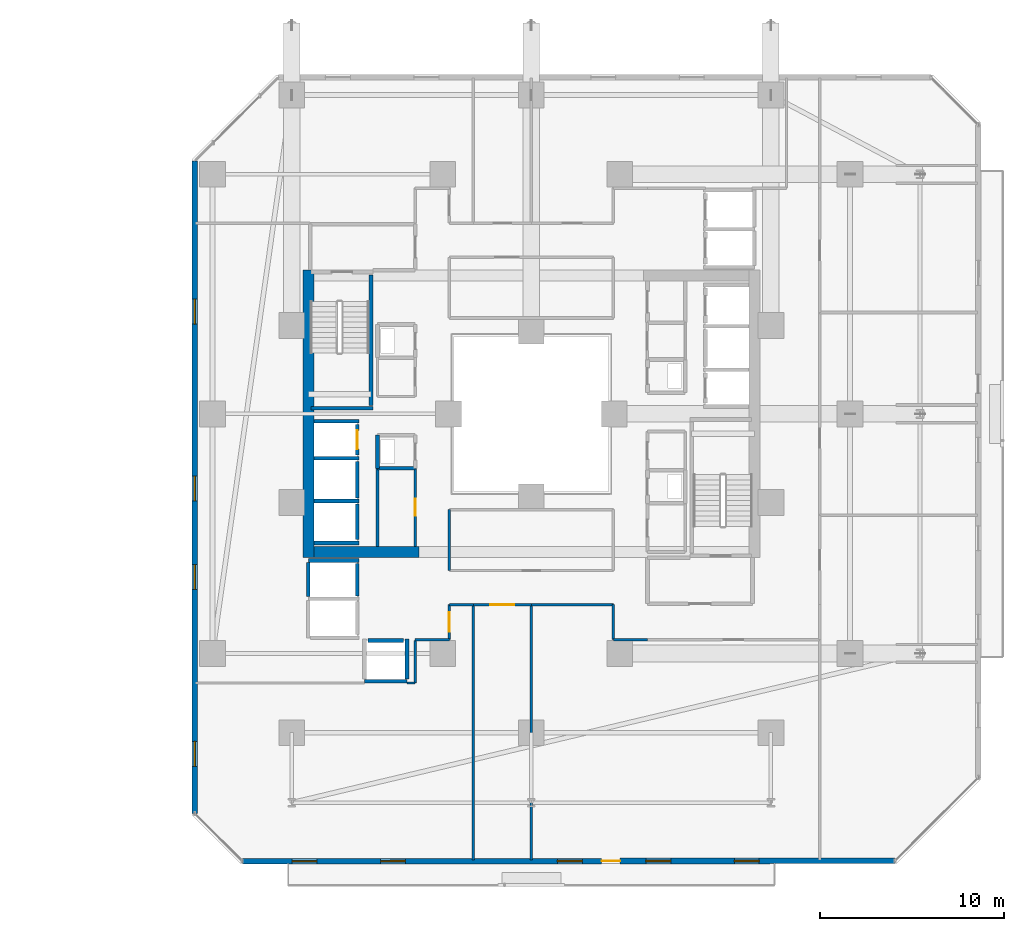
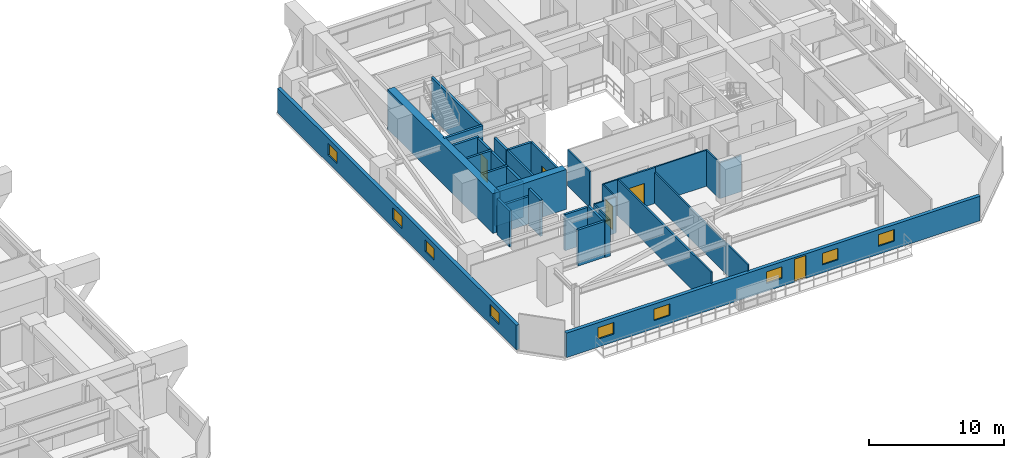
# One storey, part 25 of 36: 35 walls, 9 windows, 5 doors, 14 openings.
"""IFC4 building model written with IfcOpenShell, lengths in metres."""

from ifc_helpers import new_model, si_unit, direction, frame, frame_2d, origin, place, context, subcontext, project, spatial, rectangle, extrude, material, layer, layer_set, type_object, element, fill, save


model = new_model("IFC4")

# Units and contexts
model_context = context("Model", 3, precision=1e-05, world=origin(), true_north=direction((0.0, 1.0)))
body_context = subcontext(model_context, "Body", "Model", "MODEL_VIEW")
ifc_project = project(units=[si_unit("LENGTHUNIT", "METRE"), si_unit("AREAUNIT", "SQUARE_METRE"), si_unit("VOLUMEUNIT", "CUBIC_METRE"), si_unit("PLANEANGLEUNIT", "RADIAN"), si_unit("MASSUNIT", "GRAM", prefix="KILO")], contexts=[model_context])

# Site, building, storey
site_placement = place(None, origin())
site = spatial("IfcSite", under=ifc_project, at=site_placement, CompositionType="ELEMENT")
building_placement = place(site_placement, origin())
building = spatial("IfcBuilding", under=site, at=building_placement, Name="Thornwick Lancets Civic Towers", CompositionType="ELEMENT")
storey_placement = place(building_placement, frame((0.0, 0.0, 45.89990234375)))
storey = spatial("IfcBuildingStorey", under=building, at=storey_placement, Name="L11", CompositionType="ELEMENT", Elevation=45.89990234375)

# Wall, opening, door
ifc_material_1 = material(Name="Concrete blockwork C40/50", Category="masonry")
ifc_layer_1 = layer(ifc_material_1, 0.199951171875, Name="Concrete blockwork C40/50")
ifc_layer_set_1 = layer_set([ifc_layer_1], Name="Concrete blockwork C40/50")
wall_type_1 = type_object("IfcWallType", Name="WALL_COMP_200", PredefinedType="STANDARD", material=ifc_layer_set_1)
wall_1_placement = place(storey_placement, frame((79.050048828125, 24.780029296875, 0.0), z_axis=(0.0, 0.0, 1.0), x_axis=(0.0, 1.0, 0.0)))
wall_1 = element("IfcWall", 1, at=wall_1_placement, inside=storey, type_object=wall_type_1, Name="L11 Hoistway Front Wall FL-B2", PredefinedType="STANDARD", context=body_context, shape_type="SweptSolid", body=[
    extrude(rectangle(XDim=1.639892578125, YDim=0.199951171875, at=frame_2d((0.81982421875, 0.0))), origin(), (0.0, 0.0, 1.0), 3.260009765625),
])
opening_1_placement = place(wall_1_placement, frame((0.31005859375, 0.0, 0.0)))
opening_1 = element("IfcOpeningElement", 2, at=opening_1_placement, cuts=wall_1, Name="Opening LD-FL-B2", PredefinedType="OPENING", context=body_context, shape_type="SweptSolid", body=[
    extrude(rectangle(XDim=1.02001953125, YDim=2.06005859375, at=frame_2d((0.510009765625, 1.030029296875))), frame((0.0, 0.10986328125, 0.0), z_axis=(0.0, -1.0, 0.0), x_axis=(1.0, 0.0, 0.0)), (0.0, 0.0, 1.0), 0.219970703125),
])
ifc_material_2 = material(Name="Brushed bronze stainless steel", Category="steel")
door_type_1 = type_object("IfcDoorType", Name="DOOR_LIFT_SLIDE", OperationType="SLIDING_TO_LEFT", PredefinedType="DOOR", material=ifc_material_2)
door_1_placement = place(opening_1_placement, origin())
door_1 = element("IfcDoor", 3, at=door_1_placement, inside=storey, type_object=door_type_1, Name="L11 Sliding Lift Landing Door LD-FL-B2", OperationType="SLIDING_TO_LEFT", OverallHeight=2.06005859375, OverallWidth=1.02001953125, PredefinedType="DOOR", context=body_context, shape_type="SweptSolid", body=[
    extrude(rectangle(XDim=1.02001953125, YDim=2.06005859375, at=frame_2d((0.510009765625, 1.030029296875))), frame((0.0, 0.02490234375, 0.0), z_axis=(0.0, -1.0, 0.0), x_axis=(1.0, 0.0, 0.0)), (0.0, 0.0, 1.0), 0.050048828125),
])
fill(opening_1, door_1)

# Walls
wall_2_placement = place(storey_placement, frame((79.050048828125, 22.429931640625, 0.0), z_axis=(0.0, 0.0, 1.0), x_axis=(0.0, 1.0, 0.0)))
element("IfcWall", 4, at=wall_2_placement, inside=storey, type_object=wall_type_1, Name="L11 Hoistway Front Wall PL-BH2", PredefinedType="STANDARD", context=body_context, shape_type="SweptSolid", body=[
    extrude(rectangle(XDim=1.989990234375, YDim=0.199951171875, at=frame_2d((0.9951171875, 0.0))), origin(), (0.0, 0.0, 1.0), 3.260009765625),
])
wall_3_placement = place(storey_placement, frame((79.050048828125, 20.179931640625, 0.0), z_axis=(0.0, 0.0, 1.0), x_axis=(0.0, 1.0, 0.0)))
element("IfcWall", 5, at=wall_3_placement, inside=storey, type_object=wall_type_1, Name="L11 Hoistway Front Wall PL-BH3", PredefinedType="STANDARD", context=body_context, shape_type="SweptSolid", body=[
    extrude(rectangle(XDim=1.940185546875, YDim=0.199951171875, at=frame_2d((0.97021484375, 0.0))), origin(), (0.0, 0.0, 1.0), 3.260009765625),
])
wall_4_placement = place(storey_placement, frame((79.050048828125, 17.1298828125, 0.0), z_axis=(0.0, 0.0, 1.0), x_axis=(0.0, 1.0, 0.0)))
element("IfcWall", 6, at=wall_4_placement, inside=storey, type_object=wall_type_1, Name="L11 Hoistway Front Wall PL-BM1", PredefinedType="STANDARD", context=body_context, shape_type="SweptSolid", body=[
    extrude(rectangle(XDim=1.740234375, YDim=0.199951171875, at=frame_2d((0.8701171875, 0.0))), origin(), (0.0, 0.0, 1.0), 3.260009765625),
])
wall_5_placement = place(storey_placement, frame((79.6298828125, 14.699951171875, 0.0), z_axis=(0.0, 0.0, 1.0), x_axis=(1.0, 0.0, 0.0)))
element("IfcWall", 7, at=wall_5_placement, inside=storey, type_object=wall_type_1, Name="L11 Hoistway Front Wall PL-BM3", PredefinedType="STANDARD", context=body_context, shape_type="SweptSolid", body=[
    extrude(rectangle(XDim=1.940185546875, YDim=0.199951171875, at=frame_2d((0.97021484375, 0.0))), origin(), (0.0, 0.0, 1.0), 3.260009765625),
])
for number, where, z_axis, x_axis, name in (
    (8, (76.7119140625, 26.60009765625, 0.0), (0.0, 0.0, 1.0), (1.0, 0.0, 0.0), "L11 Hoistway Shaft Wall FL-B2 N"),
    (9, (76.7119140625, 24.60009765625, 0.0), (0.0, 0.0, 1.0), (1.0, 0.0, 0.0), "L11 Hoistway Shaft Wall FL-B2 S"),
    (10, (76.7119140625, 22.27490234375, 0.0), (0.0, 0.0, 1.0), (1.0, 0.0, 0.0), "L11 Hoistway Shaft Wall PL-BH2 S"),
    (11, (76.7119140625, 20.0, 0.0), (0.0, 0.0, 1.0), (1.0, 0.0, 0.0), "L11 Hoistway Shaft Wall PL-BH3 S"),
):
    element("IfcWall", number, at=place(storey_placement, frame(where, z_axis=z_axis, x_axis=x_axis)), inside=storey, type_object=wall_type_1, Name=name, PredefinedType="STANDARD", context=body_context, shape_type="SweptSolid", body=[
        extrude(rectangle(XDim=2.43603515625, YDim=0.199951171875, at=frame_2d((1.218017578125, 0.0))), origin(), (0.0, 0.0, 1.0), 3.260009765625),
    ])
wall_6_placement = place(storey_placement, frame((76.402099609375, 19.050048828125, 0.0), z_axis=(0.0, 0.0, 1.0), x_axis=(1.0, 0.0, 0.0)))
element("IfcWall", 12, at=wall_6_placement, inside=storey, type_object=wall_type_1, Name="L11 Hoistway Shaft Wall PL-BM1 N", PredefinedType="STANDARD", context=body_context, shape_type="SweptSolid", body=[
    extrude(rectangle(XDim=2.745849609375, YDim=0.199951171875, at=frame_2d((1.373046875, 0.0))), origin(), (0.0, 0.0, 1.0), 2.465087890625),
])
wall_7_placement = place(storey_placement, frame((76.39990234375, 17.08203125, 0.0), z_axis=(0.0, 0.0, 1.0), x_axis=(0.0, 1.0, 0.0)))
element("IfcWall", 13, at=wall_7_placement, inside=storey, type_object=wall_type_1, Name="L11 Hoistway Shaft Wall PL-BM1 W", PredefinedType="STANDARD", context=body_context, shape_type="SweptSolid", body=[
    extrude(rectangle(XDim=1.85595703125, YDim=0.199951171875, at=frame_2d((0.927978515625, 0.0))), origin(), (0.0, 0.0, 1.0), 3.260009765625),
])
wall_8_placement = place(storey_placement, frame((79.451904296875, 12.5, 0.0), z_axis=(0.0, 0.0, 1.0), x_axis=(1.0, 0.0, 0.0)))
element("IfcWall", 14, at=wall_8_placement, inside=storey, type_object=wall_type_1, Name="L11 Hoistway Shaft Wall PL-BM3 S", PredefinedType="STANDARD", context=body_context, shape_type="SweptSolid", body=[
    extrude(rectangle(XDim=2.296142578125, YDim=0.199951171875, at=frame_2d((1.14794921875, 0.0))), origin(), (0.0, 0.0, 1.0), 3.260009765625),
])
wall_9_placement = place(storey_placement, frame((81.75, 12.612060546875, 0.0), z_axis=(0.0, 0.0, 1.0), x_axis=(0.0, 1.0, 0.0)))
element("IfcWall", 15, at=wall_9_placement, inside=storey, type_object=wall_type_1, Name="L11 Hoistway Shaft Wall PL-BM3 E", PredefinedType="STANDARD", context=body_context, shape_type="SweptSolid", body=[
    extrude(rectangle(XDim=2.18603515625, YDim=0.199951171875, at=frame_2d((1.093017578125, 0.0))), origin(), (0.0, 0.0, 1.0), 3.260009765625),
])
wall_10_placement = place(storey_placement, frame((80.14990234375, 24.050048828125, 0.0), z_axis=(0.0, 0.0, 1.0), x_axis=(1.0, 0.0, 0.0)))
element("IfcWall", 16, at=wall_10_placement, inside=storey, type_object=wall_type_1, Name="L11 Partition L11-B-DUCT2 E1", PredefinedType="STANDARD", context=body_context, shape_type="SweptSolid", body=[
    extrude(rectangle(XDim=2.050048828125, YDim=0.199951171875, at=frame_2d((1.02490234375, 0.0))), origin(), (0.0, 0.0, 1.0), 3.260009765625),
])
wall_11_placement = place(storey_placement, frame((80.14990234375, 25.85009765625, 0.0), z_axis=(0.0, 0.0, 1.0), x_axis=(0.0, -1.0, 0.0)))
element("IfcWall", 17, at=wall_11_placement, inside=storey, type_object=wall_type_1, Name="L11 Partition L11-B-DUCT2 E4", PredefinedType="STANDARD", context=body_context, shape_type="SweptSolid", body=[
    extrude(rectangle(XDim=1.800048828125, YDim=0.199951171875, at=frame_2d((0.89990234375, 0.0))), origin(), (0.0, 0.0, 1.0), 3.260009765625),
])
ifc_material_3 = material(Name="Concrete C60/75", Category="concrete")
ifc_layer_2 = layer(ifc_material_3, 0.60009765625, Name="Concrete C60/75")
ifc_layer_set_2 = layer_set([ifc_layer_2], Name="Concrete C60/75")
wall_type_2 = type_object("IfcWallType", Name="WALL_CORE_600", PredefinedType="SHEAR", material=ifc_layer_set_2)
wall_12_placement = place(storey_placement, frame((76.39990234375, 19.199951171875, 0.0), z_axis=(0.0, 0.0, 1.0), x_axis=(0.0, 1.0, 0.0)))
element("IfcWall", 18, at=wall_12_placement, inside=storey, type_object=wall_type_2, Name="L11 Split Core B2 Shear Wall W", PredefinedType="SHEAR", context=body_context, shape_type="SweptSolid", body=[
    extrude(rectangle(XDim=15.60009765625, YDim=0.60009765625, at=frame_2d((7.800048828125, 0.0))), origin(), (0.0, 0.0, 1.0), 3.60009765625),
])
wall_13_placement = place(storey_placement, frame((76.699951171875, 19.5, 0.0), z_axis=(0.0, 0.0, 1.0), x_axis=(1.0, 0.0, 0.0)))
element("IfcWall", 19, at=wall_13_placement, inside=storey, type_object=wall_type_2, Name="L11 Split Core B2 Shear Wall S", PredefinedType="SHEAR", context=body_context, shape_type="SweptSolid", body=[
    extrude(rectangle(XDim=5.699951171875, YDim=0.60009765625, at=frame_2d((2.85009765625, 0.0))), origin(), (0.0, 0.0, 1.0), 3.60009765625),
])

# Wall, openings, door, windows
ifc_material_4 = material(Name="Insulated russet terracotta rainscreen on concrete C40/50", Category="masonry")
ifc_layer_3 = layer(ifc_material_4, 0.300048828125, Name="Insulated russet terracotta rainscreen on concrete C40/50")
ifc_layer_set_3 = layer_set([ifc_layer_3], Name="Insulated russet terracotta rainscreen on concrete C40/50")
wall_type_3 = type_object("IfcWallType", Name="WALL_EXT_RUSSET_300", PredefinedType="STANDARD", material=ifc_layer_set_3)
wall_14_placement = place(storey_placement, frame((72.81884765625, 2.735107421875, 0.0), z_axis=(0.0, 0.0, 1.0), x_axis=(0.999999983929, 0.00017928314, 0.0)))
wall_14 = element("IfcWall", 20, at=wall_14_placement, inside=storey, type_object=wall_type_3, Name="L11 Tower B Terracotta Facade Wall E0", PredefinedType="STANDARD", context=body_context, shape_type="SweptSolid", body=[
    extrude(rectangle(XDim=35.40576171875, YDim=0.300048828125, at=frame_2d((17.702880859375, 0.0))), origin(), (0.0, 0.0, 1.0), 2.22021484375),
])
opening_2_placement = place(wall_14_placement, frame((19.5029296875, 0.0, 0.0)))
opening_2 = element("IfcOpeningElement", 21, at=opening_2_placement, cuts=wall_14, Name="Opening D-BL-L11-BS", PredefinedType="OPENING", context=body_context, shape_type="SweptSolid", body=[
    extrude(rectangle(XDim=1.0, YDim=2.080078125, at=frame_2d((0.5, 1.0400390625))), frame((0.0, 0.16015625, 0.0), z_axis=(0.0, -1.0, 0.0), x_axis=(1.0, 0.0, 0.0)), (0.0, 0.0, 1.0), 0.320068359375),
])
opening_3_placement = place(wall_14_placement, frame((2.699951171875, 0.0, 0.719970703125)))
opening_3 = element("IfcOpeningElement", 22, at=opening_3_placement, cuts=wall_14, Name="Opening WL-03", PredefinedType="OPENING", context=body_context, shape_type="SweptSolid", body=[
    extrude(rectangle(XDim=1.35009765625, YDim=1.050048828125, at=frame_2d((0.675048828125, 0.52490234375))), frame((0.0, 0.16015625, 0.0), z_axis=(0.0, -1.0, 0.0), x_axis=(1.0, 0.0, 0.0)), (0.0, 0.0, 1.0), 0.320068359375),
])
opening_4_placement = place(wall_14_placement, frame((7.5, 0.0, 0.719970703125)))
opening_4 = element("IfcOpeningElement", 23, at=opening_4_placement, cuts=wall_14, Name="Opening WL-03", PredefinedType="OPENING", context=body_context, shape_type="SweptSolid", body=[
    extrude(rectangle(XDim=1.35009765625, YDim=1.050048828125, at=frame_2d((0.675048828125, 0.52490234375))), frame((0.0, 0.16015625, 0.0), z_axis=(0.0, -1.0, 0.0), x_axis=(1.0, 0.0, 0.0)), (0.0, 0.0, 1.0), 0.320068359375),
])
opening_5_placement = place(wall_14_placement, frame((17.10009765625, 0.0, 0.719970703125)))
opening_5 = element("IfcOpeningElement", 24, at=opening_5_placement, cuts=wall_14, Name="Opening WL-03", PredefinedType="OPENING", context=body_context, shape_type="SweptSolid", body=[
    extrude(rectangle(XDim=1.35009765625, YDim=1.050048828125, at=frame_2d((0.675048828125, 0.52490234375))), frame((0.0, 0.16015625, 0.0), z_axis=(0.0, -1.0, 0.0), x_axis=(1.0, 0.0, 0.0)), (0.0, 0.0, 1.0), 0.320068359375),
])
opening_6_placement = place(wall_14_placement, frame((21.89990234375, 0.0, 0.719970703125)))
opening_6 = element("IfcOpeningElement", 25, at=opening_6_placement, cuts=wall_14, Name="Opening WL-03", PredefinedType="OPENING", context=body_context, shape_type="SweptSolid", body=[
    extrude(rectangle(XDim=1.35009765625, YDim=1.050048828125, at=frame_2d((0.675048828125, 0.52490234375))), frame((0.0, 0.16015625, 0.0), z_axis=(0.0, -1.0, 0.0), x_axis=(1.0, 0.0, 0.0)), (0.0, 0.0, 1.0), 0.320068359375),
])
opening_7_placement = place(wall_14_placement, frame((26.699951171875, 0.0, 0.719970703125)))
opening_7 = element("IfcOpeningElement", 26, at=opening_7_placement, cuts=wall_14, Name="Opening WL-03", PredefinedType="OPENING", context=body_context, shape_type="SweptSolid", body=[
    extrude(rectangle(XDim=1.35009765625, YDim=1.050048828125, at=frame_2d((0.675048828125, 0.52490234375))), frame((0.0, 0.16015625, 0.0), z_axis=(0.0, -1.0, 0.0), x_axis=(1.0, 0.0, 0.0)), (0.0, 0.0, 1.0), 0.320068359375),
])
ifc_material_5 = material(Name="Thermally broken glazed loggia doorset")
door_type_2 = type_object("IfcDoorType", Name="DOOR_BALC_1000", OperationType="NOTDEFINED", PredefinedType="DOOR", material=ifc_material_5)
door_2_placement = place(opening_2_placement, origin())
door_2 = element("IfcDoor", 27, at=door_2_placement, inside=storey, type_object=door_type_2, Name="L11 Tower B Loggia Balcony Door S", OperationType="SINGLE_SWING_RIGHT", OverallHeight=2.080078125, OverallWidth=1.0, PredefinedType="DOOR", context=body_context, shape_type="SweptSolid", body=[
    extrude(rectangle(XDim=1.0, YDim=2.080078125, at=frame_2d((0.5, 1.0400390625))), frame((0.0, 0.02490234375, 0.0), z_axis=(0.0, -1.0, 0.0), x_axis=(1.0, 0.0, 0.0)), (0.0, 0.0, 1.0), 0.050048828125),
])
fill(opening_2, door_2)
ifc_material_6 = material(Name="Clear low-e double glazing clerestory lancet", Category="glass")
window_type = type_object("IfcWindowType", Name="WIN_LANCET_1350", PartitioningType="SINGLE_PANEL", PredefinedType="WINDOW", material=ifc_material_6)
window_1_placement = place(opening_3_placement, origin())
window_1 = element("IfcWindow", 28, at=window_1_placement, inside=storey, type_object=window_type, Name="L11 Tower B Staggered Lancet Window E0-1", OverallHeight=1.050048828125, OverallWidth=1.35009765625, PartitioningType="SINGLE_PANEL", PredefinedType="WINDOW", context=body_context, shape_type="SweptSolid", body=[
    extrude(rectangle(XDim=1.35009765625, YDim=1.050048828125, at=frame_2d((0.675048828125, 0.52490234375))), frame((0.0, 0.030029296875, 0.0), z_axis=(0.0, -1.0, 0.0), x_axis=(1.0, 0.0, 0.0)), (0.0, 0.0, 1.0), 0.06005859375),
])
fill(opening_3, window_1)
window_2_placement = place(opening_4_placement, origin())
window_2 = element("IfcWindow", 29, at=window_2_placement, inside=storey, type_object=window_type, Name="L11 Tower B Staggered Lancet Window E0-2", OverallHeight=1.050048828125, OverallWidth=1.35009765625, PartitioningType="SINGLE_PANEL", PredefinedType="WINDOW", context=body_context, shape_type="SweptSolid", body=[
    extrude(rectangle(XDim=1.35009765625, YDim=1.050048828125, at=frame_2d((0.675048828125, 0.52490234375))), frame((0.0, 0.030029296875, 0.0), z_axis=(0.0, -1.0, 0.0), x_axis=(1.0, 0.0, 0.0)), (0.0, 0.0, 1.0), 0.06005859375),
])
fill(opening_4, window_2)
window_3_placement = place(opening_5_placement, origin())
window_3 = element("IfcWindow", 30, at=window_3_placement, inside=storey, type_object=window_type, Name="L11 Tower B Staggered Lancet Window E0-3", OverallHeight=1.050048828125, OverallWidth=1.35009765625, PartitioningType="SINGLE_PANEL", PredefinedType="WINDOW", context=body_context, shape_type="SweptSolid", body=[
    extrude(rectangle(XDim=1.35009765625, YDim=1.050048828125, at=frame_2d((0.675048828125, 0.52490234375))), frame((0.0, 0.030029296875, 0.0), z_axis=(0.0, -1.0, 0.0), x_axis=(1.0, 0.0, 0.0)), (0.0, 0.0, 1.0), 0.06005859375),
])
fill(opening_5, window_3)
window_4_placement = place(opening_6_placement, origin())
window_4 = element("IfcWindow", 31, at=window_4_placement, inside=storey, type_object=window_type, Name="L11 Tower B Staggered Lancet Window E0-4", OverallHeight=1.050048828125, OverallWidth=1.35009765625, PartitioningType="SINGLE_PANEL", PredefinedType="WINDOW", context=body_context, shape_type="SweptSolid", body=[
    extrude(rectangle(XDim=1.35009765625, YDim=1.050048828125, at=frame_2d((0.675048828125, 0.52490234375))), frame((0.0, 0.030029296875, 0.0), z_axis=(0.0, -1.0, 0.0), x_axis=(1.0, 0.0, 0.0)), (0.0, 0.0, 1.0), 0.06005859375),
])
fill(opening_6, window_4)
window_5_placement = place(opening_7_placement, origin())
window_5 = element("IfcWindow", 32, at=window_5_placement, inside=storey, type_object=window_type, Name="L11 Tower B Staggered Lancet Window E0-5", OverallHeight=1.050048828125, OverallWidth=1.35009765625, PartitioningType="SINGLE_PANEL", PredefinedType="WINDOW", context=body_context, shape_type="SweptSolid", body=[
    extrude(rectangle(XDim=1.35009765625, YDim=1.050048828125, at=frame_2d((0.675048828125, 0.52490234375))), frame((0.0, 0.030029296875, 0.0), z_axis=(0.0, -1.0, 0.0), x_axis=(1.0, 0.0, 0.0)), (0.0, 0.0, 1.0), 0.06005859375),
])
fill(opening_7, window_5)

# Wall, openings, windows
wall_15_placement = place(storey_placement, frame((70.241455078125, 40.724609375, 0.0), z_axis=(0.0, 0.0, 1.0), x_axis=(-0.00017928314, -0.999999983929, 0.0)))
wall_15 = element("IfcWall", 33, at=wall_15_placement, inside=storey, type_object=wall_type_3, Name="L11 Tower B Terracotta Facade Wall E6", PredefinedType="STANDARD", context=body_context, shape_type="SweptSolid", body=[
    extrude(rectangle(XDim=35.40576171875, YDim=0.300048828125, at=frame_2d((17.702880859375, 0.0))), origin(), (0.0, 0.0, 1.0), 2.22021484375),
])
opening_8_placement = place(wall_15_placement, frame((7.5, 0.0, 0.719970703125)))
opening_8 = element("IfcOpeningElement", 34, at=opening_8_placement, cuts=wall_15, Name="Opening WL-03", PredefinedType="OPENING", context=body_context, shape_type="SweptSolid", body=[
    extrude(rectangle(XDim=1.35009765625, YDim=1.050048828125, at=frame_2d((0.675048828125, 0.52490234375))), frame((0.0, 0.16015625, 0.0), z_axis=(0.0, -1.0, 0.0), x_axis=(1.0, 0.0, 0.0)), (0.0, 0.0, 1.0), 0.320068359375),
])
opening_9_placement = place(wall_15_placement, frame((17.10009765625, 0.0, 0.719970703125)))
opening_9 = element("IfcOpeningElement", 35, at=opening_9_placement, cuts=wall_15, Name="Opening WL-03", PredefinedType="OPENING", context=body_context, shape_type="SweptSolid", body=[
    extrude(rectangle(XDim=1.35009765625, YDim=1.050048828125, at=frame_2d((0.675048828125, 0.52490234375))), frame((0.0, 0.16015625, 0.0), z_axis=(0.0, -1.0, 0.0), x_axis=(1.0, 0.0, 0.0)), (0.0, 0.0, 1.0), 0.320068359375),
])
opening_10_placement = place(wall_15_placement, frame((21.89990234375, 0.0, 0.719970703125)))
opening_10 = element("IfcOpeningElement", 36, at=opening_10_placement, cuts=wall_15, Name="Opening WL-03", PredefinedType="OPENING", context=body_context, shape_type="SweptSolid", body=[
    extrude(rectangle(XDim=1.35009765625, YDim=1.050048828125, at=frame_2d((0.675048828125, 0.52490234375))), frame((0.0, 0.16015625, 0.0), z_axis=(0.0, -1.0, 0.0), x_axis=(1.0, 0.0, 0.0)), (0.0, 0.0, 1.0), 0.320068359375),
])
opening_11_placement = place(wall_15_placement, frame((31.5, 0.0, 0.719970703125)))
opening_11 = element("IfcOpeningElement", 37, at=opening_11_placement, cuts=wall_15, Name="Opening WL-03", PredefinedType="OPENING", context=body_context, shape_type="SweptSolid", body=[
    extrude(rectangle(XDim=1.35009765625, YDim=1.050048828125, at=frame_2d((0.675048828125, 0.52490234375))), frame((0.0, 0.16015625, 0.0), z_axis=(0.0, -1.0, 0.0), x_axis=(1.0, 0.0, 0.0)), (0.0, 0.0, 1.0), 0.320068359375),
])
window_6_placement = place(opening_8_placement, origin())
window_6 = element("IfcWindow", 38, at=window_6_placement, inside=storey, type_object=window_type, Name="L11 Tower B Staggered Lancet Window E6-1", OverallHeight=1.050048828125, OverallWidth=1.35009765625, PartitioningType="SINGLE_PANEL", PredefinedType="WINDOW", context=body_context, shape_type="SweptSolid", body=[
    extrude(rectangle(XDim=1.35009765625, YDim=1.050048828125, at=frame_2d((0.675048828125, 0.52490234375))), frame((0.0, 0.030029296875, 0.0), z_axis=(0.0, -1.0, 0.0), x_axis=(1.0, 0.0, 0.0)), (0.0, 0.0, 1.0), 0.06005859375),
])
fill(opening_8, window_6)
window_7_placement = place(opening_9_placement, origin())
window_7 = element("IfcWindow", 39, at=window_7_placement, inside=storey, type_object=window_type, Name="L11 Tower B Staggered Lancet Window E6-2", OverallHeight=1.050048828125, OverallWidth=1.35009765625, PartitioningType="SINGLE_PANEL", PredefinedType="WINDOW", context=body_context, shape_type="SweptSolid", body=[
    extrude(rectangle(XDim=1.35009765625, YDim=1.050048828125, at=frame_2d((0.675048828125, 0.52490234375))), frame((0.0, 0.030029296875, 0.0), z_axis=(0.0, -1.0, 0.0), x_axis=(1.0, 0.0, 0.0)), (0.0, 0.0, 1.0), 0.06005859375),
])
fill(opening_9, window_7)
window_8_placement = place(opening_10_placement, origin())
window_8 = element("IfcWindow", 40, at=window_8_placement, inside=storey, type_object=window_type, Name="L11 Tower B Staggered Lancet Window E6-3", OverallHeight=1.050048828125, OverallWidth=1.35009765625, PartitioningType="SINGLE_PANEL", PredefinedType="WINDOW", context=body_context, shape_type="SweptSolid", body=[
    extrude(rectangle(XDim=1.35009765625, YDim=1.050048828125, at=frame_2d((0.675048828125, 0.52490234375))), frame((0.0, 0.030029296875, 0.0), z_axis=(0.0, -1.0, 0.0), x_axis=(1.0, 0.0, 0.0)), (0.0, 0.0, 1.0), 0.06005859375),
])
fill(opening_10, window_8)
window_9_placement = place(opening_11_placement, origin())
window_9 = element("IfcWindow", 41, at=window_9_placement, inside=storey, type_object=window_type, Name="L11 Tower B Staggered Lancet Window E6-4", OverallHeight=1.050048828125, OverallWidth=1.35009765625, PartitioningType="SINGLE_PANEL", PredefinedType="WINDOW", context=body_context, shape_type="SweptSolid", body=[
    extrude(rectangle(XDim=1.35009765625, YDim=1.050048828125, at=frame_2d((0.675048828125, 0.52490234375))), frame((0.0, 0.030029296875, 0.0), z_axis=(0.0, -1.0, 0.0), x_axis=(1.0, 0.0, 0.0)), (0.0, 0.0, 1.0), 0.06005859375),
])
fill(opening_11, window_9)

# Walls
ifc_material_7 = material(Name="Acoustic gypsum board partition")
ifc_layer_4 = layer(ifc_material_7, 0.1201171875, Name="Acoustic gypsum board partition")
ifc_layer_set_4 = layer_set([ifc_layer_4], Name="Acoustic gypsum board partition")
wall_type_4 = type_object("IfcWallType", Name="WALL_PART_120", PredefinedType="PARTITIONING", material=ifc_layer_set_4)
wall_16_placement = place(storey_placement, frame((92.949951171875, 16.64990234375, 0.0), z_axis=(0.0, 0.0, 1.0), x_axis=(0.0, -1.0, 0.0)))
element("IfcWall", 42, at=wall_16_placement, inside=storey, type_object=wall_type_4, Name="L11 Partition L11-B-W1 E1", PredefinedType="PARTITIONING", context=body_context, shape_type="SweptSolid", body=[
    extrude(rectangle(XDim=1.89990234375, YDim=0.1201171875, at=frame_2d((0.949951171875, 0.0))), origin(), (0.0, 0.0, 1.0), 3.260009765625),
])
wall_17_placement = place(storey_placement, frame((92.949951171875, 14.75, 0.0), z_axis=(0.0, 0.0, 1.0), x_axis=(1.0, 0.0, 0.0)))
element("IfcWall", 43, at=wall_17_placement, inside=storey, type_object=wall_type_4, Name="L11 Partition L11-B-W1 E2", PredefinedType="PARTITIONING", context=body_context, shape_type="SweptSolid", body=[
    extrude(rectangle(XDim=1.85009765625, YDim=0.1201171875, at=frame_2d((0.925048828125, 0.0))), origin(), (0.0, 0.0, 1.0), 3.260009765625),
])
wall_18_placement = place(storey_placement, frame((88.5, 2.780029296875, 0.0), z_axis=(0.0, 0.0, 1.0), x_axis=(0.0, 1.0, 0.0)))
element("IfcWall", 44, at=wall_18_placement, inside=storey, type_object=wall_type_4, Name="L11 Partition L11-B-W1 E6", PredefinedType="PARTITIONING", context=body_context, shape_type="SweptSolid", body=[
    extrude(rectangle(XDim=13.869873046875, YDim=0.1201171875, at=frame_2d((6.93505859375, 0.0))), origin(), (0.0, 0.0, 1.0), 2.8017578125),
])
wall_19_placement = place(storey_placement, frame((88.5, 16.64990234375, 0.0), z_axis=(0.0, 0.0, 1.0), x_axis=(1.0, 0.0, 0.0)))
element("IfcWall", 45, at=wall_19_placement, inside=storey, type_object=wall_type_4, Name="L11 Partition L11-B-W1 E7", PredefinedType="PARTITIONING", context=body_context, shape_type="SweptSolid", body=[
    extrude(rectangle(XDim=4.449951171875, YDim=0.1201171875, at=frame_2d((2.22509765625, 0.0))), origin(), (0.0, 0.0, 1.0), 3.260009765625),
])
wall_20_placement = place(storey_placement, frame((82.199951171875, 14.75, 0.0), z_axis=(0.0, 0.0, 1.0), x_axis=(1.0, 0.0, 0.0)))
element("IfcWall", 46, at=wall_20_placement, inside=storey, type_object=wall_type_4, Name="L11 Partition L11-B-W3 E2", PredefinedType="PARTITIONING", context=body_context, shape_type="SweptSolid", body=[
    extrude(rectangle(XDim=1.85009765625, YDim=0.1201171875, at=frame_2d((0.925048828125, 0.0))), origin(), (0.0, 0.0, 1.0), 3.260009765625),
])

# Wall, opening, door
wall_21_placement = place(storey_placement, frame((84.050048828125, 14.75, 0.0), z_axis=(0.0, 0.0, 1.0), x_axis=(0.0, 1.0, 0.0)))
wall_21 = element("IfcWall", 47, at=wall_21_placement, inside=storey, type_object=wall_type_4, Name="L11 Partition L11-B-W3 E3", PredefinedType="PARTITIONING", context=body_context, shape_type="SweptSolid", body=[
    extrude(rectangle(XDim=1.89990234375, YDim=0.1201171875, at=frame_2d((0.949951171875, 0.0))), origin(), (0.0, 0.0, 1.0), 3.260009765625),
])
opening_12_placement = place(wall_21_placement, frame((0.425048828125, 0.0, 0.0)))
opening_12 = element("IfcOpeningElement", 48, at=opening_12_placement, cuts=wall_21, Name="Opening D-L11-0574", PredefinedType="OPENING", context=body_context, shape_type="SweptSolid", body=[
    extrude(rectangle(XDim=1.050048828125, YDim=2.10009765625, at=frame_2d((0.52490234375, 1.050048828125))), frame((0.0, 0.070068359375, 0.0), z_axis=(0.0, -1.0, 0.0), x_axis=(1.0, 0.0, 0.0)), (0.0, 0.0, 1.0), 0.14013671875),
])
ifc_material_8 = material(Name="Glazed European oak executive doorset")
door_type_3 = type_object("IfcDoorType", Name="DOOR_OFFICE_1050", OperationType="NOTDEFINED", PredefinedType="DOOR", material=ifc_material_8)
door_3_placement = place(opening_12_placement, origin())
door_3 = element("IfcDoor", 49, at=door_3_placement, inside=storey, type_object=door_type_3, Name="L11 Tower B Staff Tea Pantry and Lounge Door", OperationType="SINGLE_SWING_LEFT", OverallHeight=2.10009765625, OverallWidth=1.050048828125, PredefinedType="DOOR", context=body_context, shape_type="SweptSolid", body=[
    extrude(rectangle(XDim=1.050048828125, YDim=2.10009765625, at=frame_2d((0.52490234375, 1.050048828125))), frame((0.0, 0.02490234375, 0.0), z_axis=(0.0, -1.0, 0.0), x_axis=(1.0, 0.0, 0.0)), (0.0, 0.0, 1.0), 0.050048828125),
])
fill(opening_12, door_3)

# Walls
wall_22_placement = place(storey_placement, frame((84.050048828125, 16.64990234375, 0.0), z_axis=(0.0, 0.0, 1.0), x_axis=(1.0, 0.0, 0.0)))
element("IfcWall", 50, at=wall_22_placement, inside=storey, type_object=wall_type_4, Name="L11 Partition L11-B-W3 E4", PredefinedType="PARTITIONING", context=body_context, shape_type="SweptSolid", body=[
    extrude(rectangle(XDim=1.300048828125, YDim=0.1201171875, at=frame_2d((0.64990234375, 0.0))), origin(), (0.0, 0.0, 1.0), 3.260009765625),
])
wall_23_placement = place(storey_placement, frame((81.748046875, 12.39990234375, 0.0), z_axis=(0.0, 0.0, 1.0), x_axis=(1.0, 0.0, 0.0)))
element("IfcWall", 51, at=wall_23_placement, inside=storey, type_object=wall_type_4, Name="L11 Partition L11-B-W3 E9", PredefinedType="PARTITIONING", context=body_context, shape_type="SweptSolid", body=[
    extrude(rectangle(XDim=0.451904296875, YDim=0.1201171875, at=frame_2d((0.22607421875, 0.0))), origin(), (0.0, 0.0, 1.0), 3.260009765625),
])
wall_24_placement = place(storey_placement, frame((82.199951171875, 12.39990234375, 0.0), z_axis=(0.0, 0.0, 1.0), x_axis=(0.0, 1.0, 0.0)))
element("IfcWall", 52, at=wall_24_placement, inside=storey, type_object=wall_type_4, Name="L11 Partition L11-B-W3 E10", PredefinedType="PARTITIONING", context=body_context, shape_type="SweptSolid", body=[
    extrude(rectangle(XDim=2.300048828125, YDim=0.1201171875, at=frame_2d((1.14990234375, 0.0))), origin(), (0.0, 0.0, 1.0), 3.260009765625),
])
wall_25_placement = place(storey_placement, frame((84.050048828125, 18.5, 0.0), z_axis=(0.0, 0.0, 1.0), x_axis=(0.0, 1.0, 0.0)))
element("IfcWall", 53, at=wall_25_placement, inside=storey, type_object=wall_type_4, Name="L11 Partition L11-B-ATR-W E1", PredefinedType="PARTITIONING", context=body_context, shape_type="SweptSolid", body=[
    extrude(rectangle(XDim=3.300048828125, YDim=0.1201171875, at=frame_2d((1.64990234375, 0.0))), origin(), (0.0, 0.0, 1.0), 3.260009765625),
])
ifc_material_9 = material(Name="Twin-stud acoustic gypsum board")
ifc_layer_5 = layer(ifc_material_9, 0.14990234375, Name="Twin-stud acoustic gypsum board")
ifc_layer_set_5 = layer_set([ifc_layer_5], Name="Twin-stud acoustic gypsum board")
wall_type_5 = type_object("IfcWallType", Name="WALL_PART_150", PredefinedType="PARTITIONING", material=ifc_layer_set_5)
wall_26_placement = place(storey_placement, frame((80.14990234375, 19.800048828125, 0.0), z_axis=(0.0, 0.0, 1.0), x_axis=(0.0, 1.0, 0.0)))
element("IfcWall", 54, at=wall_26_placement, inside=storey, type_object=wall_type_5, Name="L11 Partition L11-B-FWC E2", PredefinedType="PARTITIONING", context=body_context, shape_type="SweptSolid", body=[
    extrude(rectangle(XDim=4.25, YDim=0.14990234375, at=frame_2d((2.125, 0.0))), origin(), (0.0, 0.0, 1.0), 3.260009765625),
])

# Wall, opening, door
wall_27_placement = place(storey_placement, frame((82.199951171875, 24.050048828125, 0.0), z_axis=(0.0, 0.0, 1.0), x_axis=(0.0, -1.0, 0.0)))
wall_27 = element("IfcWall", 55, at=wall_27_placement, inside=storey, type_object=wall_type_5, Name="L11 Partition L11-B-FWC E4", PredefinedType="PARTITIONING", context=body_context, shape_type="SweptSolid", body=[
    extrude(rectangle(XDim=4.25, YDim=0.14990234375, at=frame_2d((2.125, 0.0))), origin(), (0.0, 0.0, 1.0), 3.260009765625),
])
opening_13_placement = place(wall_27_placement, frame((1.6650390625, 0.0, 0.0)))
opening_13 = element("IfcOpeningElement", 56, at=opening_13_placement, cuts=wall_27, Name="Opening D-L11-0559", PredefinedType="OPENING", context=body_context, shape_type="SweptSolid", body=[
    extrude(rectangle(XDim=0.919921875, YDim=2.080078125, at=frame_2d((0.4599609375, 1.0400390625))), frame((0.0, 0.0849609375, 0.0), z_axis=(0.0, -1.0, 0.0), x_axis=(1.0, 0.0, 0.0)), (0.0, 0.0, 1.0), 0.169921875),
])
ifc_material_10 = material(Name="Moisture-resistant oak doorset")
door_type_4 = type_object("IfcDoorType", Name="DOOR_WC_900", OperationType="NOTDEFINED", PredefinedType="DOOR", material=ifc_material_10)
door_4_placement = place(opening_13_placement, origin())
door_4 = element("IfcDoor", 57, at=door_4_placement, inside=storey, type_object=door_type_4, Name="L11 Tower B Female WC Door", OperationType="SINGLE_SWING_RIGHT", OverallHeight=2.080078125, OverallWidth=0.919921875, PredefinedType="DOOR", context=body_context, shape_type="SweptSolid", body=[
    extrude(rectangle(XDim=0.919921875, YDim=2.080078125, at=frame_2d((0.4599609375, 1.0400390625))), frame((0.0, 0.02490234375, 0.0), z_axis=(0.0, -1.0, 0.0), x_axis=(1.0, 0.0, 0.0)), (0.0, 0.0, 1.0), 0.050048828125),
])
fill(opening_13, door_4)

# Wall
wall_28_placement = place(storey_placement, frame((85.35009765625, 2.780029296875, 0.0), z_axis=(0.0, 0.0, 1.0), x_axis=(0.0, 1.0, 0.0)))
element("IfcWall", 58, at=wall_28_placement, inside=storey, type_object=wall_type_5, Name="L11 Partition L11-B-W2 E3", PredefinedType="PARTITIONING", context=body_context, shape_type="SweptSolid", body=[
    extrude(rectangle(XDim=13.869873046875, YDim=0.14990234375, at=frame_2d((6.93505859375, 0.0))), origin(), (0.0, 0.0, 1.0), 3.260009765625),
])

# Wall, opening, door
wall_29_placement = place(storey_placement, frame((85.35009765625, 16.64990234375, 0.0), z_axis=(0.0, 0.0, 1.0), x_axis=(1.0, 0.0, 0.0)))
wall_29 = element("IfcWall", 59, at=wall_29_placement, inside=storey, type_object=wall_type_5, Name="L11 Partition L11-B-W2 E4", PredefinedType="PARTITIONING", context=body_context, shape_type="SweptSolid", body=[
    extrude(rectangle(XDim=3.14990234375, YDim=0.14990234375, at=frame_2d((1.574951171875, 0.0))), origin(), (0.0, 0.0, 1.0), 3.260009765625),
])
opening_14_placement = place(wall_29_placement, frame((0.925048828125, 0.0, 0.0)))
opening_14 = element("IfcOpeningElement", 60, at=opening_14_placement, cuts=wall_29, Name="Opening D-L11-0573", PredefinedType="OPENING", context=body_context, shape_type="SweptSolid", body=[
    extrude(rectangle(XDim=1.300048828125, YDim=2.1201171875, at=frame_2d((0.64990234375, 1.06005859375))), frame((0.0, 0.0849609375, 0.0), z_axis=(0.0, -1.0, 0.0), x_axis=(1.0, 0.0, 0.0)), (0.0, 0.0, 1.0), 0.169921875),
])
ifc_material_11 = material(Name="Acoustic oak leaf-and-a-half doorset")
door_type_5 = type_object("IfcDoorType", Name="DOOR_MEET_1300", OperationType="DOUBLE_DOOR_SINGLE_SWING", PredefinedType="DOOR", material=ifc_material_11)
door_5_placement = place(opening_14_placement, origin())
door_5 = element("IfcDoor", 61, at=door_5_placement, inside=storey, type_object=door_type_5, Name="L11 Tower B Policy Briefing Room W2 Door", OperationType="DOUBLE_DOOR_SINGLE_SWING", OverallHeight=2.1201171875, OverallWidth=1.300048828125, PredefinedType="DOOR", context=body_context, shape_type="SweptSolid", body=[
    extrude(rectangle(XDim=1.300048828125, YDim=2.1201171875, at=frame_2d((0.64990234375, 1.06005859375))), frame((0.0, 0.02490234375, 0.0), z_axis=(0.0, -1.0, 0.0), x_axis=(1.0, 0.0, 0.0)), (0.0, 0.0, 1.0), 0.050048828125),
])
fill(opening_14, door_5)

# Walls
ifc_material_12 = material(Name="Concrete C40/50", Category="concrete")
ifc_layer_6 = layer(ifc_material_12, 0.199951171875, Name="Concrete C40/50")
ifc_layer_set_6 = layer_set([ifc_layer_6], Name="Concrete C40/50")
wall_type_6 = type_object("IfcWallType", Name="WALL_SHAFT_200", PredefinedType="SHEAR", material=ifc_layer_set_6)
wall_30_placement = place(storey_placement, frame((79.89990234375, 27.300048828125, 0.0), z_axis=(0.0, 0.0, 1.0), x_axis=(-1.0, 0.0, 0.0)))
element("IfcWall", 62, at=wall_30_placement, inside=storey, type_object=wall_type_6, Name="L11 ST-B2 Fire Stair Core Wall FAR", PredefinedType="SHEAR", context=body_context, shape_type="SweptSolid", body=[
    extrude(rectangle(XDim=3.349853515625, YDim=0.199951171875, at=frame_2d((1.6748046875, 0.0))), origin(), (0.0, 0.0, 1.0), 3.60009765625),
])
wall_31_placement = place(storey_placement, frame((79.797119140625, 27.449951171875, 0.0), z_axis=(0.0, 0.0, 1.0), x_axis=(0.0, 1.0, 0.0)))
element("IfcWall", 63, at=wall_31_placement, inside=storey, type_object=wall_type_6, Name="L11 ST-B2 Fire Stair Core Wall RIGHT", PredefinedType="SHEAR", context=body_context, shape_type="SweptSolid", body=[
    extrude(rectangle(XDim=7.10009765625, YDim=0.199951171875, at=frame_2d((3.550048828125, 0.0))), origin(), (0.0, 0.0, 1.0), 3.60009765625),
])

save(model, "model.ifc")
